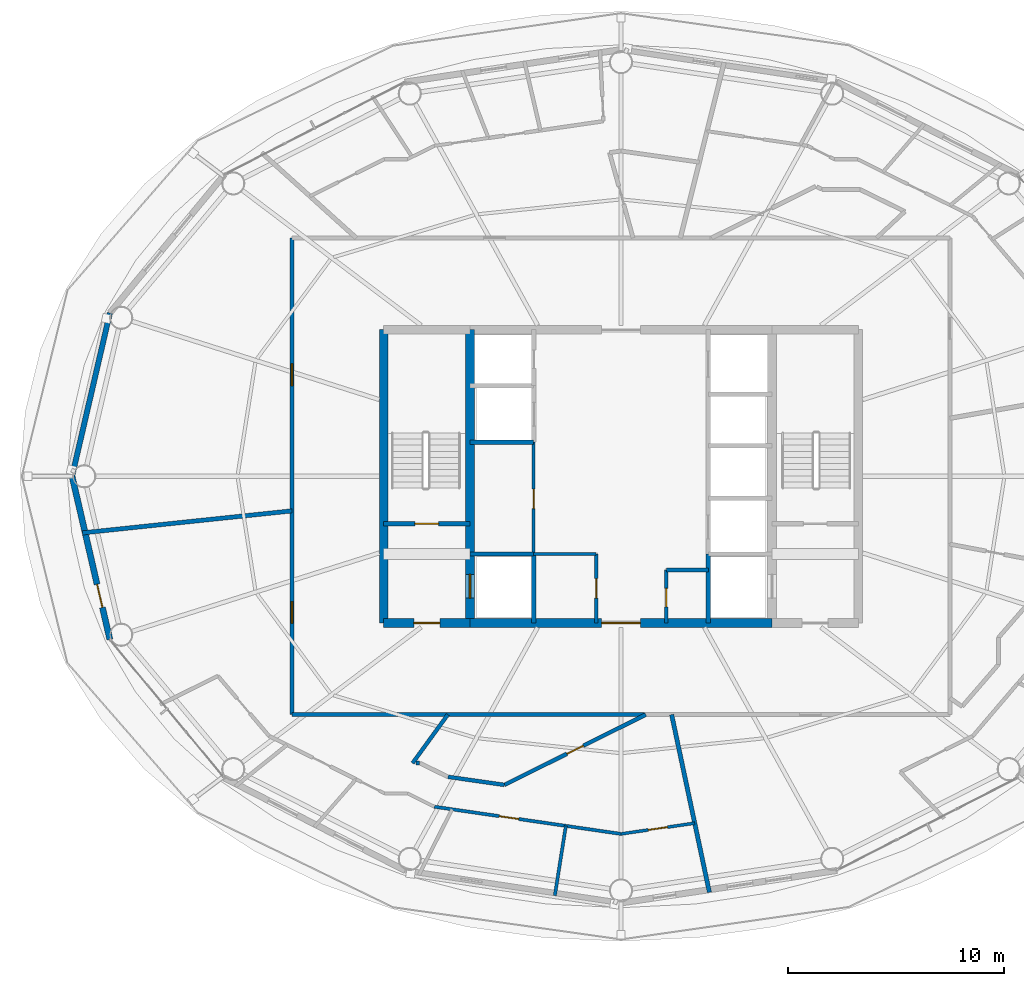
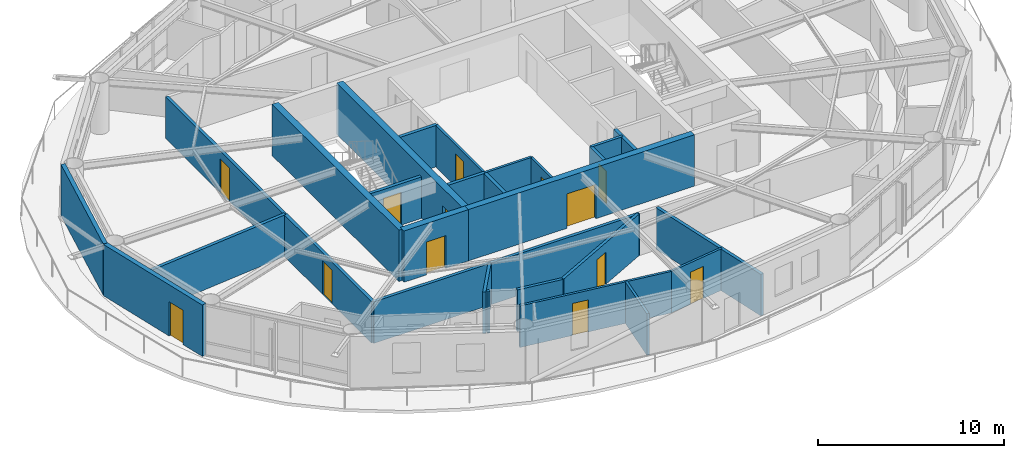
# One storey, part 16 of 23: 27 walls, 13 doors, 13 openings.
"""IFC4 building model written with IfcOpenShell, lengths in metres."""

from ifc_helpers import new_model, si_unit, direction, frame, frame_2d, origin, place, context, subcontext, project, spatial, rectangle, extrude, material, layer, layer_set, type_object, element, fill, save


model = new_model("IFC4")

# Units and contexts
model_context = context("Model", 3, precision=1e-05, world=origin(), true_north=direction((0.0, 1.0)))
body_context = subcontext(model_context, "Body", "Model", "MODEL_VIEW")
ifc_project = project(units=[si_unit("LENGTHUNIT", "METRE"), si_unit("AREAUNIT", "SQUARE_METRE"), si_unit("VOLUMEUNIT", "CUBIC_METRE"), si_unit("PLANEANGLEUNIT", "RADIAN"), si_unit("MASSUNIT", "GRAM", prefix="KILO")], contexts=[model_context])

# Site, building, storey
site_placement = place(None, origin())
site = spatial("IfcSite", under=ifc_project, at=site_placement, CompositionType="ELEMENT")
building_placement = place(site_placement, origin())
building = spatial("IfcBuilding", under=site, at=building_placement, Name="Sarneth Arch Tower", CompositionType="ELEMENT")
storey_placement = place(building_placement, frame((0.0, 0.0, 249.60009765625)))
storey = spatial("IfcBuildingStorey", under=building, at=storey_placement, Name="L64", CompositionType="ELEMENT", Elevation=249.60009765625)

# Wall, opening, door
ifc_material_1 = material(Name="Concrete C50/60", Category="concrete")
ifc_layer_1 = layer(ifc_material_1, 0.39990234375)
ifc_layer_set_1 = layer_set([ifc_layer_1], Name="Concrete C50/60")
wall_type_1 = type_object("IfcWallType", Name="WALL-CORE-400", PredefinedType="SHEAR", material=ifc_layer_set_1)
wall_1_placement = place(storey_placement, frame((37.0, 35.199951171875, 0.0), z_axis=(0.0, 0.0, 1.0), x_axis=(1.0, 0.0, 0.0)))
wall_1 = element("IfcWall", 1, at=wall_1_placement, inside=storey, type_object=wall_type_1, Name="L64 Core shear wall S-W", PredefinedType="SHEAR", context=body_context, shape_type="SweptSolid", body=[
    extrude(rectangle(XDim=4.0, YDim=0.39990234375, at=frame_2d((2.0, 0.0))), origin(), (0.0, 0.0, 1.0), 3.35986328125),
])
opening_1_placement = place(wall_1_placement, frame((1.39990234375, 0.0, 0.0)))
opening_1 = element("IfcOpeningElement", 2, at=opening_1_placement, cuts=wall_1, Name="Opening FD-02", PredefinedType="OPENING", context=body_context, shape_type="SweptSolid", body=[
    extrude(rectangle(XDim=1.199951171875, YDim=2.14990234375, at=frame_2d((0.60009765625, 1.074951171875))), frame((0.0, 0.2099609375, 0.0), z_axis=(0.0, -1.0, 0.0), x_axis=(1.0, 0.0, 0.0)), (0.0, 0.0, 1.0), 0.419921875),
])
ifc_material_2 = material(Name="Galvanised Steel S275 fire door set", Category="steel")
door_type_1 = type_object("IfcDoorType", Name="DR-FD90-1200", OperationType="SINGLE_SWING_LEFT", PredefinedType="DOOR", material=ifc_material_2)
door_1_placement = place(opening_1_placement, origin())
door_1 = element("IfcDoor", 3, at=door_1_placement, inside=storey, type_object=door_type_1, Name="L64 Firefighting lobby 1 exit door", OperationType="SINGLE_SWING_LEFT", OverallHeight=2.14990234375, OverallWidth=1.199951171875, PredefinedType="DOOR", context=body_context, shape_type="SweptSolid", body=[
    extrude(rectangle(XDim=1.199951171875, YDim=2.14990234375, at=frame_2d((0.60009765625, 1.074951171875))), frame((0.0, 0.02490234375, 0.0), z_axis=(0.0, -1.0, 0.0), x_axis=(1.0, 0.0, 0.0)), (0.0, 0.0, 1.0), 0.050048828125),
])
fill(opening_1, door_1)

wall_2_placement = place(storey_placement, frame((41.0, 35.199951171875, 0.0), z_axis=(0.0, 0.0, 1.0), x_axis=(1.0, 0.0, 0.0)))
wall_2 = element("IfcWall", 4, at=wall_2_placement, inside=storey, type_object=wall_type_1, Name="L64 Core shear wall S-M", PredefinedType="SHEAR", context=body_context, shape_type="SweptSolid", body=[
    extrude(rectangle(XDim=14.0, YDim=0.39990234375, at=frame_2d((7.0, 0.0))), origin(), (0.0, 0.0, 1.0), 3.35986328125),
])
opening_2_placement = place(wall_2_placement, frame((6.10009765625, 0.0, 0.0)))
opening_2 = element("IfcOpeningElement", 5, at=opening_2_placement, cuts=wall_2, Name="Opening FD-01", PredefinedType="OPENING", context=body_context, shape_type="SweptSolid", body=[
    extrude(rectangle(XDim=1.800048828125, YDim=2.25, at=frame_2d((0.89990234375, 1.125))), frame((0.0, 0.2099609375, 0.0), z_axis=(0.0, -1.0, 0.0), x_axis=(1.0, 0.0, 0.0)), (0.0, 0.0, 1.0), 0.419921875),
])
ifc_material_3 = material(Name="Galvanised Steel S275 fire door set", Category="steel")
door_type_2 = type_object("IfcDoorType", Name="DR-FD90-1800", OperationType="DOUBLE_DOOR_SINGLE_SWING", PredefinedType="DOOR", material=ifc_material_3)
door_2_placement = place(opening_2_placement, origin())
door_2 = element("IfcDoor", 6, at=door_2_placement, inside=storey, type_object=door_type_2, Name="L64 Central lift lobby south door", OperationType="DOUBLE_DOOR_SINGLE_SWING", OverallHeight=2.25, OverallWidth=1.800048828125, PredefinedType="DOOR", context=body_context, shape_type="SweptSolid", body=[
    extrude(rectangle(XDim=1.800048828125, YDim=2.25, at=frame_2d((0.89990234375, 1.125))), frame((0.0, 0.02490234375, 0.0), z_axis=(0.0, -1.0, 0.0), x_axis=(1.0, 0.0, 0.0)), (0.0, 0.0, 1.0), 0.050048828125),
])
fill(opening_2, door_2)

# Wall
wall_3_placement = place(storey_placement, frame((37.0, 35.199951171875, 0.0), z_axis=(0.0, 0.0, 1.0), x_axis=(0.0, 1.0, 0.0)))
element("IfcWall", 7, at=wall_3_placement, inside=storey, type_object=wall_type_1, Name="L64 Core shear wall W", PredefinedType="SHEAR", context=body_context, shape_type="SweptSolid", body=[
    extrude(rectangle(XDim=13.60009765625, YDim=0.39990234375, at=frame_2d((6.800048828125, 0.0))), origin(), (0.0, 0.0, 1.0), 3.35986328125),
])

# Wall, opening, door
wall_4_placement = place(storey_placement, frame((41.0, 35.199951171875, 0.0), z_axis=(0.0, 0.0, 1.0), x_axis=(0.0, 1.0, 0.0)))
wall_4 = element("IfcWall", 8, at=wall_4_placement, inside=storey, type_object=wall_type_1, Name="L64 Core shear wall WEB-W", PredefinedType="SHEAR", context=body_context, shape_type="SweptSolid", body=[
    extrude(rectangle(XDim=13.60009765625, YDim=0.39990234375, at=frame_2d((6.800048828125, 0.0))), origin(), (0.0, 0.0, 1.0), 3.35986328125),
])
opening_3_placement = place(wall_4_placement, frame((1.14990234375, 0.0, 0.0)))
opening_3 = element("IfcOpeningElement", 9, at=opening_3_placement, cuts=wall_4, Name="Opening LD-1", PredefinedType="OPENING", context=body_context, shape_type="SweptSolid", body=[
    extrude(rectangle(XDim=1.10009765625, YDim=2.199951171875, at=frame_2d((0.550048828125, 1.10009765625))), frame((0.0, 0.2099609375, 0.0), z_axis=(0.0, -1.0, 0.0), x_axis=(1.0, 0.0, 0.0)), (0.0, 0.0, 1.0), 0.419921875),
])
ifc_material_4 = material(Name="Brushed Stainless Steel 304 lift landing door", Category="steel")
door_type_3 = type_object("IfcDoorType", Name="DR-LIFT-SLIDE-1100", OperationType="SLIDING_TO_LEFT", PredefinedType="DOOR", material=ifc_material_4)
door_3_placement = place(opening_3_placement, origin())
door_3 = element("IfcDoor", 10, at=door_3_placement, inside=storey, type_object=door_type_3, Name="L64 Firefighting lift landing door FL-1", OperationType="SLIDING_TO_LEFT", OverallHeight=2.199951171875, OverallWidth=1.10009765625, PredefinedType="DOOR", context=body_context, shape_type="SweptSolid", body=[
    extrude(rectangle(XDim=1.10009765625, YDim=2.199951171875, at=frame_2d((0.550048828125, 1.10009765625))), frame((0.0, 0.02490234375, 0.0), z_axis=(0.0, -1.0, 0.0), x_axis=(1.0, 0.0, 0.0)), (0.0, 0.0, 1.0), 0.050048828125),
])
fill(opening_3, door_3)

# Wall, openings, doors
ifc_material_5 = material(Name="Double steel-stud corridor fire wall", Category="steel")
ifc_layer_2 = layer(ifc_material_5, 0.18994140625)
ifc_layer_set_2 = layer_set([ifc_layer_2], Name="Double steel-stud corridor fire wall")
wall_type_2 = type_object("IfcWallType", Name="WALL-CORR-190", PredefinedType="PARTITIONING", material=ifc_layer_set_2)
wall_5_placement = place(storey_placement, frame((32.75, 30.949951171875, 0.0), z_axis=(0.0, 0.0, 1.0), x_axis=(0.0, 1.0, 0.0)))
wall_5 = element("IfcWall", 11, at=wall_5_placement, inside=storey, type_object=wall_type_2, Name="L64 Interior partition W-L64-TP-007", PredefinedType="PARTITIONING", context=body_context, shape_type="SweptSolid", body=[
    extrude(rectangle(XDim=22.10009765625, YDim=0.18994140625, at=frame_2d((11.050048828125, 0.0))), origin(), (0.0, 0.0, 1.0), 2.719970703125),
])
opening_4_placement = place(wall_5_placement, frame((15.257568359375, 0.0, 0.0)))
opening_4 = element("IfcOpeningElement", 12, at=opening_4_placement, cuts=wall_5, Name="Opening FD-08", PredefinedType="OPENING", context=body_context, shape_type="SweptSolid", body=[
    extrude(rectangle(XDim=1.0, YDim=2.199951171875, at=frame_2d((0.5, 1.10009765625))), frame((0.0, 0.10498046875, 0.0), z_axis=(0.0, -1.0, 0.0), x_axis=(1.0, 0.0, 0.0)), (0.0, 0.0, 1.0), 0.2099609375),
])
opening_5_placement = place(wall_5_placement, frame((4.23974609375, 0.0, 0.0)))
opening_5 = element("IfcOpeningElement", 13, at=opening_5_placement, cuts=wall_5, Name="Opening FD-08", PredefinedType="OPENING", context=body_context, shape_type="SweptSolid", body=[
    extrude(rectangle(XDim=1.0, YDim=2.199951171875, at=frame_2d((0.5, 1.10009765625))), frame((0.0, 0.10498046875, 0.0), z_axis=(0.0, -1.0, 0.0), x_axis=(1.0, 0.0, 0.0)), (0.0, 0.0, 1.0), 0.2099609375),
])
ifc_material_6 = material(Name="Hardwood timber acoustic fire door", Category="wood")
door_type_4 = type_object("IfcDoorType", Name="DR-FD60-1000", OperationType="SINGLE_SWING_LEFT", PredefinedType="DOOR", material=ifc_material_6)
door_4_placement = place(opening_4_placement, origin())
door_4 = element("IfcDoor", 14, at=door_4_placement, inside=storey, type_object=door_type_4, Name="L64 Interior door DR-L64-RAMN-03", OperationType="SINGLE_SWING_LEFT", OverallHeight=2.199951171875, OverallWidth=1.0, PredefinedType="DOOR", context=body_context, shape_type="SweptSolid", body=[
    extrude(rectangle(XDim=1.0, YDim=2.199951171875, at=frame_2d((0.5, 1.10009765625))), frame((0.0, 0.02490234375, 0.0), z_axis=(0.0, -1.0, 0.0), x_axis=(1.0, 0.0, 0.0)), (0.0, 0.0, 1.0), 0.050048828125),
])
fill(opening_4, door_4)
door_5_placement = place(opening_5_placement, origin())
door_5 = element("IfcDoor", 15, at=door_5_placement, inside=storey, type_object=door_type_4, Name="L64 Interior door DR-L64-U4-ENT", OperationType="SINGLE_SWING_LEFT", OverallHeight=2.199951171875, OverallWidth=1.0, PredefinedType="DOOR", context=body_context, shape_type="SweptSolid", body=[
    extrude(rectangle(XDim=1.0, YDim=2.199951171875, at=frame_2d((0.5, 1.10009765625))), frame((0.0, 0.02490234375, 0.0), z_axis=(0.0, -1.0, 0.0), x_axis=(1.0, 0.0, 0.0)), (0.0, 0.0, 1.0), 0.050048828125),
])
fill(opening_5, door_5)

# Walls
wall_6_placement = place(storey_placement, frame((49.2236328125, 30.949951171875, 0.0), z_axis=(0.0, 0.0, 1.0), x_axis=(-1.0, 0.0, 0.0)))
element("IfcWall", 16, at=wall_6_placement, inside=storey, type_object=wall_type_2, Name="L64 Interior partition W-L64-TP-012", PredefinedType="PARTITIONING", context=body_context, shape_type="SweptSolid", body=[
    extrude(rectangle(XDim=16.4736328125, YDim=0.18994140625, at=frame_2d((8.23681640625, 0.0))), origin(), (0.0, 0.0, 1.0), 2.719970703125),
])
ifc_material_7 = material(Name="Extruded terracotta rainscreen on Concrete C40/50 backing", Category="masonry")
ifc_layer_3 = layer(ifc_material_7, 0.25)
ifc_layer_set_3 = layer_set([ifc_layer_3], Name="Extruded terracotta rainscreen on Concrete C40/50 backing")
wall_type_3 = type_object("IfcWallType", Name="WALL-EXT-SPAND-250", PredefinedType="SOLIDWALL", material=ifc_layer_set_3)
wall_7_placement = place(storey_placement, frame((24.30615234375, 49.569580078125, 0.0), z_axis=(0.0, 0.0, 1.0), x_axis=(-0.225635078214, -0.974211892495, 0.0)))
element("IfcWall", 17, at=wall_7_placement, inside=storey, type_object=wall_type_3, Name="L64 Terracotta perimeter wall 08", PredefinedType="SOLIDWALL", context=body_context, shape_type="SweptSolid", body=[
    extrude(rectangle(XDim=7.77001953125, YDim=0.25, at=frame_2d((3.885009765625, 0.0))), origin(), (0.0, 0.0, 1.0), 3.35986328125),
])

# Wall, opening, door
ifc_material_8 = material(Name="Extruded terracotta rainscreen on Concrete C40/50 backing", Category="masonry")
ifc_layer_4 = layer(ifc_material_8, 0.280029296875)
ifc_layer_set_4 = layer_set([ifc_layer_4], Name="Extruded terracotta rainscreen on Concrete C40/50 backing")
wall_type_4 = type_object("IfcWallType", Name="WALL-EXT-TERRA-280", PredefinedType="SOLIDWALL", material=ifc_layer_set_4)
wall_8_placement = place(storey_placement, frame((22.552978515625, 42.0, 0.0), z_axis=(0.0, 0.0, 1.0), x_axis=(0.225635078214, -0.974211892495, 0.0)))
wall_8 = element("IfcWall", 18, at=wall_8_placement, inside=storey, type_object=wall_type_4, Name="L64 Terracotta perimeter wall 09", PredefinedType="SOLIDWALL", context=body_context, shape_type="SweptSolid", body=[
    extrude(rectangle(XDim=7.77001953125, YDim=0.280029296875, at=frame_2d((3.885009765625, 0.0))), origin(), (0.0, 0.0, 1.0), 3.35986328125),
])
opening_6_placement = place(wall_8_placement, frame((5.14208984375, 0.0, 0.0)))
opening_6 = element("IfcOpeningElement", 19, at=opening_6_placement, cuts=wall_8, Name="Opening BD-3", PredefinedType="OPENING", context=body_context, shape_type="SweptSolid", body=[
    extrude(rectangle(XDim=1.10009765625, YDim=2.25, at=frame_2d((0.550048828125, 1.125))), frame((0.0, 0.14990234375, 0.0), z_axis=(0.0, -1.0, 0.0), x_axis=(1.0, 0.0, 0.0)), (0.0, 0.0, 1.0), 0.300048828125),
])
ifc_material_9 = material(Name="Thermally broken Aluminium 6063-T6 and laminated safety glass", Category="aluminium")
door_type_5 = type_object("IfcDoorType", Name="DR-BALC-GLZ-1100", OperationType="SINGLE_SWING_LEFT", PredefinedType="DOOR", material=ifc_material_9)
door_6_placement = place(opening_6_placement, origin())
door_6 = element("IfcDoor", 20, at=door_6_placement, inside=storey, type_object=door_type_5, Name="L64 Balcony glazed door 09", OperationType="SINGLE_SWING_LEFT", OverallHeight=2.25, OverallWidth=1.10009765625, PredefinedType="DOOR", context=body_context, shape_type="SweptSolid", body=[
    extrude(rectangle(XDim=1.10009765625, YDim=2.25, at=frame_2d((0.550048828125, 1.125))), frame((0.0, 0.02490234375, 0.0), z_axis=(0.0, -1.0, 0.0), x_axis=(1.0, 0.0, 0.0)), (0.0, 0.0, 1.0), 0.050048828125),
])
fill(opening_6, door_6)

ifc_material_10 = material(Name="Apartment internal stud partition", Category="gypsum")
ifc_layer_5 = layer(ifc_material_10, 0.139892578125)
ifc_layer_set_5 = layer_set([ifc_layer_5], Name="Apartment internal stud partition")
wall_type_5 = type_object("IfcWallType", Name="WALL-PART-140", PredefinedType="PARTITIONING", material=ifc_layer_set_5)
wall_9_placement = place(storey_placement, frame((51.418212890625, 25.91845703125, 0.0), z_axis=(0.0, 0.0, 1.0), x_axis=(-0.989531088682, -0.144319868801, 0.0)))
wall_9 = element("IfcWall", 21, at=wall_9_placement, inside=storey, type_object=wall_type_5, Name="L64 Interior partition W-L64-TP-073", PredefinedType="PARTITIONING", context=body_context, shape_type="SweptSolid", body=[
    extrude(rectangle(XDim=3.454345703125, YDim=0.139892578125, at=frame_2d((1.72705078125, 0.0))), origin(), (0.0, 0.0, 1.0), 2.719970703125),
])
opening_7_placement = place(wall_9_placement, frame((1.277099609375, 0.0, 0.0)))
opening_7 = element("IfcOpeningElement", 22, at=opening_7_placement, cuts=wall_9, Name="Opening ID-01", PredefinedType="OPENING", context=body_context, shape_type="SweptSolid", body=[
    extrude(rectangle(XDim=0.89990234375, YDim=2.10009765625, at=frame_2d((0.449951171875, 1.050048828125))), frame((0.0, 0.079833984375, 0.0), z_axis=(0.0, -1.0, 0.0), x_axis=(1.0, 0.0, 0.0)), (0.0, 0.0, 1.0), 0.159912109375),
])
ifc_material_11 = material(Name="Engineered hardwood flush door", Category="wood")
door_type_6 = type_object("IfcDoorType", Name="DR-INT-900", OperationType="SINGLE_SWING_LEFT", PredefinedType="DOOR", material=ifc_material_11)
door_7_placement = place(opening_7_placement, origin())
door_7 = element("IfcDoor", 23, at=door_7_placement, inside=storey, type_object=door_type_6, Name="L64 Interior door DR-L64-U4-BED3", OperationType="SINGLE_SWING_LEFT", OverallHeight=2.10009765625, OverallWidth=0.89990234375, PredefinedType="DOOR", context=body_context, shape_type="SweptSolid", body=[
    extrude(rectangle(XDim=0.89990234375, YDim=2.10009765625, at=frame_2d((0.449951171875, 1.050048828125))), frame((0.0, 0.02490234375, 0.0), z_axis=(0.0, -1.0, 0.0), x_axis=(1.0, 0.0, 0.0)), (0.0, 0.0, 1.0), 0.050048828125),
])
fill(opening_7, door_7)

ifc_material_12 = material(Name="Acoustic gypsum stud partition", Category="gypsum")
ifc_layer_6 = layer(ifc_material_12, 0.14990234375)
ifc_layer_set_6 = layer_set([ifc_layer_6], Name="Acoustic gypsum stud partition")
wall_type_6 = type_object("IfcWallType", Name="WALL-PART-150", PredefinedType="PARTITIONING", material=ifc_layer_set_6)
wall_10_placement = place(storey_placement, frame((43.949951171875, 38.39990234375, 0.0), z_axis=(0.0, 0.0, 1.0), x_axis=(0.0, 1.0, 0.0)))
wall_10 = element("IfcWall", 24, at=wall_10_placement, inside=storey, type_object=wall_type_6, Name="L64 Interior partition W-L64-RECPL-E", PredefinedType="PARTITIONING", context=body_context, shape_type="SweptSolid", body=[
    extrude(rectangle(XDim=5.18017578125, YDim=0.14990234375, at=frame_2d((2.590087890625, 0.0))), origin(), (0.0, 0.0, 1.0), 2.719970703125),
])
opening_8_placement = place(wall_10_placement, frame((2.10009765625, 0.0, 0.0)))
opening_8 = element("IfcOpeningElement", 25, at=opening_8_placement, cuts=wall_10, Name="Opening FD-10", PredefinedType="OPENING", context=body_context, shape_type="SweptSolid", body=[
    extrude(rectangle(XDim=0.89990234375, YDim=2.14990234375, at=frame_2d((0.449951171875, 1.074951171875))), frame((0.0, 0.0849609375, 0.0), z_axis=(0.0, -1.0, 0.0), x_axis=(1.0, 0.0, 0.0)), (0.0, 0.0, 1.0), 0.169921875),
])
ifc_material_13 = material(Name="Galvanised Steel S275 riser/service fire door", Category="steel")
door_type_7 = type_object("IfcDoorType", Name="DR-FD60-900", OperationType="SINGLE_SWING_LEFT", PredefinedType="DOOR", material=ifc_material_13)
door_8_placement = place(opening_8_placement, origin())
door_8 = element("IfcDoor", 26, at=door_8_placement, inside=storey, type_object=door_type_7, Name="L64 Interior door DR-L64-RECPL1", OperationType="SINGLE_SWING_LEFT", OverallHeight=2.14990234375, OverallWidth=0.89990234375, PredefinedType="DOOR", context=body_context, shape_type="SweptSolid", body=[
    extrude(rectangle(XDim=0.89990234375, YDim=2.14990234375, at=frame_2d((0.449951171875, 1.074951171875))), frame((0.0, 0.02490234375, 0.0), z_axis=(0.0, -1.0, 0.0), x_axis=(1.0, 0.0, 0.0)), (0.0, 0.0, 1.0), 0.050048828125),
])
fill(opening_8, door_8)

# Wall
wall_11_placement = place(storey_placement, frame((43.949951171875, 38.39990234375, 0.0), z_axis=(0.0, 0.0, 1.0), x_axis=(1.0, 0.0, 0.0)))
element("IfcWall", 27, at=wall_11_placement, inside=storey, type_object=wall_type_6, Name="L64 Interior partition W-L64-CSUP1-N", PredefinedType="PARTITIONING", context=body_context, shape_type="SweptSolid", body=[
    extrude(rectangle(XDim=2.900146484375, YDim=0.14990234375, at=frame_2d((1.4501953125, 0.0))), origin(), (0.0, 0.0, 1.0), 2.719970703125),
])

# Wall, opening, door
wall_12_placement = place(storey_placement, frame((46.85009765625, 35.199951171875, 0.0), z_axis=(0.0, 0.0, 1.0), x_axis=(0.0, 1.0, 0.0)))
wall_12 = element("IfcWall", 28, at=wall_12_placement, inside=storey, type_object=wall_type_6, Name="L64 Interior partition W-L64-CSUP1-E", PredefinedType="PARTITIONING", context=body_context, shape_type="SweptSolid", body=[
    extrude(rectangle(XDim=3.199951171875, YDim=0.14990234375, at=frame_2d((1.60009765625, 0.0))), origin(), (0.0, 0.0, 1.0), 2.719970703125),
])
opening_9_placement = place(wall_12_placement, frame((1.14990234375, 0.0, 0.0)))
opening_9 = element("IfcOpeningElement", 29, at=opening_9_placement, cuts=wall_12, Name="Opening FD-10", PredefinedType="OPENING", context=body_context, shape_type="SweptSolid", body=[
    extrude(rectangle(XDim=0.89990234375, YDim=2.14990234375, at=frame_2d((0.449951171875, 1.074951171875))), frame((0.0, 0.0849609375, 0.0), z_axis=(0.0, -1.0, 0.0), x_axis=(1.0, 0.0, 0.0)), (0.0, 0.0, 1.0), 0.169921875),
])
door_9_placement = place(opening_9_placement, origin())
door_9 = element("IfcDoor", 30, at=door_9_placement, inside=storey, type_object=door_type_7, Name="L64 Interior door DR-L64-CSUP1", OperationType="SINGLE_SWING_LEFT", OverallHeight=2.14990234375, OverallWidth=0.89990234375, PredefinedType="DOOR", context=body_context, shape_type="SweptSolid", body=[
    extrude(rectangle(XDim=0.89990234375, YDim=2.14990234375, at=frame_2d((0.449951171875, 1.074951171875))), frame((0.0, 0.02490234375, 0.0), z_axis=(0.0, -1.0, 0.0), x_axis=(1.0, 0.0, 0.0)), (0.0, 0.0, 1.0), 0.050048828125),
])
fill(opening_9, door_9)

wall_13_placement = place(storey_placement, frame((48.0, 25.419921875, 0.0), z_axis=(0.0, 0.0, 1.0), x_axis=(-0.989532150642, 0.144312587273, 0.0)))
wall_13 = element("IfcWall", 31, at=wall_13_placement, inside=storey, type_object=wall_type_6, Name="L64 Interior partition W-L64-TP-072", PredefinedType="PARTITIONING", context=body_context, shape_type="SweptSolid", body=[
    extrude(rectangle(XDim=8.746337890625, YDim=0.14990234375, at=frame_2d((4.373046875, 0.0))), origin(), (0.0, 0.0, 1.0), 2.719970703125),
])
opening_10_placement = place(wall_13_placement, frame((4.797607421875, 0.0, 0.0)))
opening_10 = element("IfcOpeningElement", 32, at=opening_10_placement, cuts=wall_13, Name="Opening ID-01", PredefinedType="OPENING", context=body_context, shape_type="SweptSolid", body=[
    extrude(rectangle(XDim=0.89990234375, YDim=2.10009765625, at=frame_2d((0.449951171875, 1.050048828125))), frame((0.0, 0.0849609375, 0.0), z_axis=(0.0, -1.0, 0.0), x_axis=(1.0, 0.0, 0.0)), (0.0, 0.0, 1.0), 0.169921875),
])
door_10_placement = place(opening_10_placement, origin())
door_10 = element("IfcDoor", 33, at=door_10_placement, inside=storey, type_object=door_type_6, Name="L64 Interior door DR-L64-U4-BED2", OperationType="SINGLE_SWING_RIGHT", OverallHeight=2.10009765625, OverallWidth=0.89990234375, PredefinedType="DOOR", context=body_context, shape_type="SweptSolid", body=[
    extrude(rectangle(XDim=0.89990234375, YDim=2.10009765625, at=frame_2d((0.449951171875, 1.050048828125))), frame((0.0, 0.02490234375, 0.0), z_axis=(0.0, -1.0, 0.0), x_axis=(1.0, 0.0, 0.0)), (0.0, 0.0, 1.0), 0.050048828125),
])
fill(opening_10, door_10)

# Walls
wall_14_placement = place(storey_placement, frame((44.93408203125, 22.559814453125, 0.0), z_axis=(0.0, 0.0, 1.0), x_axis=(0.155828503033, 0.98778412502, 0.0)))
element("IfcWall", 34, at=wall_14_placement, inside=storey, type_object=wall_type_6, Name="L64 Interior partition W-L64-TP-079", PredefinedType="PARTITIONING", context=body_context, shape_type="SweptSolid", body=[
    extrude(rectangle(XDim=3.27294921875, YDim=0.14990234375, at=frame_2d((1.636474609375, 0.0))), origin(), (0.0, 0.0, 1.0), 2.719970703125),
])
ifc_material_14 = material(Name="Moisture-resistant plumbing chase wall", Category="gypsum")
ifc_layer_7 = layer(ifc_material_14, 0.179931640625)
ifc_layer_set_7 = layer_set([ifc_layer_7], Name="Moisture-resistant plumbing chase wall")
wall_type_7 = type_object("IfcWallType", Name="WALL-PLUMB-180", PredefinedType="PLUMBINGWALL", material=ifc_layer_set_7)
wall_15_placement = place(storey_placement, frame((50.10009765625, 37.64990234375, 0.0), z_axis=(0.0, 0.0, 1.0), x_axis=(1.0, 0.0, 0.0)))
element("IfcWall", 35, at=wall_15_placement, inside=storey, type_object=wall_type_7, Name="L64 Interior partition W-L64-AWC-N", PredefinedType="PLUMBINGWALL", context=body_context, shape_type="SweptSolid", body=[
    extrude(rectangle(XDim=1.949951171875, YDim=0.179931640625, at=frame_2d((0.97509765625, 0.0))), origin(), (0.0, 0.0, 1.0), 2.719970703125),
])

# Wall, opening, door
wall_16_placement = place(storey_placement, frame((50.10009765625, 35.199951171875, 0.0), z_axis=(0.0, 0.0, 1.0), x_axis=(0.0, 1.0, 0.0)))
wall_16 = element("IfcWall", 36, at=wall_16_placement, inside=storey, type_object=wall_type_7, Name="L64 Interior partition W-L64-AWC-W", PredefinedType="PLUMBINGWALL", context=body_context, shape_type="SweptSolid", body=[
    extrude(rectangle(XDim=2.449951171875, YDim=0.179931640625, at=frame_2d((1.22509765625, 0.0))), origin(), (0.0, 0.0, 1.0), 2.719970703125),
])
opening_11_placement = place(wall_16_placement, frame((0.75, 0.0, 0.0)))
opening_11 = element("IfcOpeningElement", 37, at=opening_11_placement, cuts=wall_16, Name="Opening ID-02", PredefinedType="OPENING", context=body_context, shape_type="SweptSolid", body=[
    extrude(rectangle(XDim=0.85009765625, YDim=2.10009765625, at=frame_2d((0.425048828125, 1.050048828125))), frame((0.0, 0.099853515625, 0.0), z_axis=(0.0, -1.0, 0.0), x_axis=(1.0, 0.0, 0.0)), (0.0, 0.0, 1.0), 0.199951171875),
])
ifc_material_15 = material(Name="Moisture-resistant bathroom timber door", Category="wood")
door_type_8 = type_object("IfcDoorType", Name="DR-INT-850", OperationType="SINGLE_SWING_RIGHT", PredefinedType="DOOR", material=ifc_material_15)
door_11_placement = place(opening_11_placement, origin())
door_11 = element("IfcDoor", 38, at=door_11_placement, inside=storey, type_object=door_type_8, Name="L64 Interior door DR-L64-AWC", OperationType="SINGLE_SWING_RIGHT", OverallHeight=2.10009765625, OverallWidth=0.85009765625, PredefinedType="DOOR", context=body_context, shape_type="SweptSolid", body=[
    extrude(rectangle(XDim=0.85009765625, YDim=2.10009765625, at=frame_2d((0.425048828125, 1.050048828125))), frame((0.0, 0.02490234375, 0.0), z_axis=(0.0, -1.0, 0.0), x_axis=(1.0, 0.0, 0.0)), (0.0, 0.0, 1.0), 0.050048828125),
])
fill(opening_11, door_11)

wall_17_placement = place(storey_placement, frame((42.592529296875, 27.693603515625, 0.0), z_axis=(0.0, 0.0, 1.0), x_axis=(0.895690491041, 0.444678023134, 0.0)))
wall_17 = element("IfcWall", 39, at=wall_17_placement, inside=storey, type_object=wall_type_7, Name="L64 Interior partition W-L64-TP-067", PredefinedType="PLUMBINGWALL", context=body_context, shape_type="SweptSolid", body=[
    extrude(rectangle(XDim=7.322998046875, YDim=0.179931640625, at=frame_2d((3.66162109375, 0.0))), origin(), (0.0, 0.0, 1.0), 2.719970703125),
])
opening_12_placement = place(wall_17_placement, frame((3.236572265625, 0.0, 0.0)))
opening_12 = element("IfcOpeningElement", 40, at=opening_12_placement, cuts=wall_17, Name="Opening ID-02", PredefinedType="OPENING", context=body_context, shape_type="SweptSolid", body=[
    extrude(rectangle(XDim=0.85009765625, YDim=2.10009765625, at=frame_2d((0.425048828125, 1.050048828125))), frame((0.0, 0.099853515625, 0.0), z_axis=(0.0, -1.0, 0.0), x_axis=(1.0, 0.0, 0.0)), (0.0, 0.0, 1.0), 0.199951171875),
])
door_12_placement = place(opening_12_placement, origin())
door_12 = element("IfcDoor", 41, at=door_12_placement, inside=storey, type_object=door_type_8, Name="L64 Interior door DR-L64-U4-BATH", OperationType="SINGLE_SWING_LEFT", OverallHeight=2.10009765625, OverallWidth=0.85009765625, PredefinedType="DOOR", context=body_context, shape_type="SweptSolid", body=[
    extrude(rectangle(XDim=0.85009765625, YDim=2.10009765625, at=frame_2d((0.425048828125, 1.050048828125))), frame((0.0, 0.02490234375, 0.0), z_axis=(0.0, -1.0, 0.0), x_axis=(1.0, 0.0, 0.0)), (0.0, 0.0, 1.0), 0.050048828125),
])
fill(opening_12, door_12)

# Walls
wall_18_placement = place(storey_placement, frame((39.9716796875, 30.949951171875, 0.0), z_axis=(0.0, 0.0, 1.0), x_axis=(-0.587795827483, -0.809009310944, 0.0)))
element("IfcWall", 42, at=wall_18_placement, inside=storey, type_object=wall_type_7, Name="L64 Interior partition W-L64-TP-063", PredefinedType="PLUMBINGWALL", context=body_context, shape_type="SweptSolid", body=[
    extrude(rectangle(XDim=2.78125, YDim=0.179931640625, at=frame_2d((1.390625, 0.0))), origin(), (0.0, 0.0, 1.0), 2.719970703125),
])
wall_19_placement = place(storey_placement, frame((39.97607421875, 28.06787109375, 0.0), z_axis=(0.0, 0.0, 1.0), x_axis=(0.989923613655, -0.141602398034, 0.0)))
element("IfcWall", 43, at=wall_19_placement, inside=storey, type_object=wall_type_7, Name="L64 Interior partition W-L64-TP-066", PredefinedType="PLUMBINGWALL", context=body_context, shape_type="SweptSolid", body=[
    extrude(rectangle(XDim=2.64306640625, YDim=0.179931640625, at=frame_2d((1.321533203125, 0.0))), origin(), (0.0, 0.0, 1.0), 2.719970703125),
])
wall_20_placement = place(storey_placement, frame((38.5009765625, 28.699951171875, 0.0), z_axis=(0.0, 0.0, 1.0), x_axis=(1.0, 0.0, 0.0)))
element("IfcWall", 44, at=wall_20_placement, inside=storey, type_object=wall_type_7, Name="L64 Interior partition W-L64-TP-064", PredefinedType="PLUMBINGWALL", context=body_context, shape_type="SweptSolid", body=[
    extrude(rectangle(XDim=0.150146484375, YDim=0.179931640625, at=frame_2d((0.0751953125, 0.0))), origin(), (0.0, 0.0, 1.0), 2.719970703125),
])

# Wall, opening, door
ifc_material_16 = material(Name="Aerated concrete blockwork C25/30", Category="masonry")
ifc_layer_8 = layer(ifc_material_16, 0.199951171875)
ifc_layer_set_8 = layer_set([ifc_layer_8], Name="Aerated concrete blockwork C25/30")
wall_type_8 = type_object("IfcWallType", Name="WALL-SHAFT-200", PredefinedType="SOLIDWALL", material=ifc_layer_set_8)
wall_21_placement = place(storey_placement, frame((37.0, 39.800048828125, 0.0), z_axis=(0.0, 0.0, 1.0), x_axis=(1.0, 0.0, 0.0)))
wall_21 = element("IfcWall", 45, at=wall_21_placement, inside=storey, type_object=wall_type_8, Name="L64 Interior partition W-L64-ST1-S", PredefinedType="SOLIDWALL", context=body_context, shape_type="SweptSolid", body=[
    extrude(rectangle(XDim=4.0, YDim=0.199951171875, at=frame_2d((2.0, 0.0))), origin(), (0.0, 0.0, 1.0), 2.719970703125),
])
opening_13_placement = place(wall_21_placement, frame((1.449951171875, 0.0, 0.0)))
opening_13 = element("IfcOpeningElement", 46, at=opening_13_placement, cuts=wall_21, Name="Opening FD-03", PredefinedType="OPENING", context=body_context, shape_type="SweptSolid", body=[
    extrude(rectangle(XDim=1.10009765625, YDim=2.14990234375, at=frame_2d((0.550048828125, 1.074951171875))), frame((0.0, 0.10986328125, 0.0), z_axis=(0.0, -1.0, 0.0), x_axis=(1.0, 0.0, 0.0)), (0.0, 0.0, 1.0), 0.219970703125),
])
ifc_material_17 = material(Name="Galvanised Steel S275 fire door set", Category="steel")
door_type_9 = type_object("IfcDoorType", Name="DR-FD90-1100", OperationType="SINGLE_SWING_LEFT", PredefinedType="DOOR", material=ifc_material_17)
door_13_placement = place(opening_13_placement, origin())
door_13 = element("IfcDoor", 47, at=door_13_placement, inside=storey, type_object=door_type_9, Name="L64 Interior door DR-L64-ST1", OperationType="SINGLE_SWING_LEFT", OverallHeight=2.14990234375, OverallWidth=1.10009765625, PredefinedType="DOOR", context=body_context, shape_type="SweptSolid", body=[
    extrude(rectangle(XDim=1.10009765625, YDim=2.14990234375, at=frame_2d((0.550048828125, 1.074951171875))), frame((0.0, 0.02490234375, 0.0), z_axis=(0.0, -1.0, 0.0), x_axis=(1.0, 0.0, 0.0)), (0.0, 0.0, 1.0), 0.050048828125),
])
fill(opening_13, door_13)

# Walls
wall_22_placement = place(storey_placement, frame((43.949951171875, 35.199951171875, 0.0), z_axis=(0.0, 0.0, 1.0), x_axis=(0.0, 1.0, 0.0)))
element("IfcWall", 48, at=wall_22_placement, inside=storey, type_object=wall_type_8, Name="L64 Interior partition W-L64-FL1-E", PredefinedType="SOLIDWALL", context=body_context, shape_type="SweptSolid", body=[
    extrude(rectangle(XDim=3.199951171875, YDim=0.199951171875, at=frame_2d((1.60009765625, 0.0))), origin(), (0.0, 0.0, 1.0), 2.719970703125),
])
wall_23_placement = place(storey_placement, frame((41.0, 38.39990234375, 0.0), z_axis=(0.0, 0.0, 1.0), x_axis=(1.0, 0.0, 0.0)))
element("IfcWall", 49, at=wall_23_placement, inside=storey, type_object=wall_type_8, Name="L64 Interior partition W-L64-FL1-N", PredefinedType="SOLIDWALL", context=body_context, shape_type="SweptSolid", body=[
    extrude(rectangle(XDim=2.949951171875, YDim=0.199951171875, at=frame_2d((1.47509765625, 0.0))), origin(), (0.0, 0.0, 1.0), 2.719970703125),
])
wall_24_placement = place(storey_placement, frame((52.050048828125, 35.199951171875, 0.0), z_axis=(0.0, 0.0, 1.0), x_axis=(0.0, 1.0, 0.0)))
element("IfcWall", 50, at=wall_24_placement, inside=storey, type_object=wall_type_8, Name="L64 Interior partition W-L64-FL2-W", PredefinedType="SOLIDWALL", context=body_context, shape_type="SweptSolid", body=[
    extrude(rectangle(XDim=3.199951171875, YDim=0.199951171875, at=frame_2d((1.60009765625, 0.0))), origin(), (0.0, 0.0, 1.0), 2.719970703125),
])
wall_25_placement = place(storey_placement, frame((41.0, 43.580078125, 0.0), z_axis=(0.0, 0.0, 1.0), x_axis=(1.0, 0.0, 0.0)))
element("IfcWall", 51, at=wall_25_placement, inside=storey, type_object=wall_type_8, Name="L64 Interior partition W-L64-PM1-S", PredefinedType="SOLIDWALL", context=body_context, shape_type="SweptSolid", body=[
    extrude(rectangle(XDim=2.949951171875, YDim=0.199951171875, at=frame_2d((1.47509765625, 0.0))), origin(), (0.0, 0.0, 1.0), 2.719970703125),
])
ifc_material_18 = material(Name="Double steel-stud acoustic drywall", Category="steel")
ifc_layer_9 = layer(ifc_material_18, 0.199951171875)
ifc_layer_set_9 = layer_set([ifc_layer_9], Name="Double steel-stud acoustic drywall")
wall_type_9 = type_object("IfcWallType", Name="WALL-UNIT-200", PredefinedType="PARTITIONING", material=ifc_layer_set_9)
wall_26_placement = place(storey_placement, frame((32.75, 40.397216796875, 0.0), z_axis=(0.0, 0.0, 1.0), x_axis=(-0.994521469813, -0.104532512074, 0.0)))
element("IfcWall", 52, at=wall_26_placement, inside=storey, type_object=wall_type_9, Name="L64 Interior partition W-L64-TP-058", PredefinedType="PARTITIONING", context=body_context, shape_type="SweptSolid", body=[
    extrude(rectangle(XDim=9.764892578125, YDim=0.199951171875, at=frame_2d((4.88232421875, 0.0))), origin(), (0.0, 0.0, 1.0), 2.719970703125),
])
wall_27_placement = place(storey_placement, frame((50.3486328125, 30.949951171875, 0.0), z_axis=(0.0, 0.0, 1.0), x_axis=(0.207930550935, -0.978143591702, 0.0)))
element("IfcWall", 53, at=wall_27_placement, inside=storey, type_object=wall_type_9, Name="L64 Interior partition W-L64-TP-075", PredefinedType="PARTITIONING", context=body_context, shape_type="SweptSolid", body=[
    extrude(rectangle(XDim=8.418701171875, YDim=0.199951171875, at=frame_2d((4.20947265625, 0.0))), origin(), (0.0, 0.0, 1.0), 2.719970703125),
])

save(model, "model.ifc")
